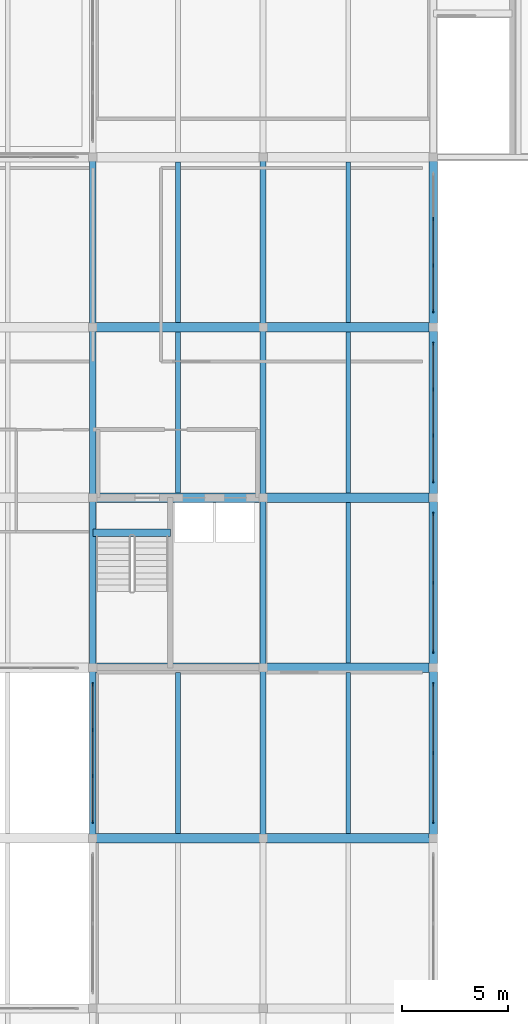
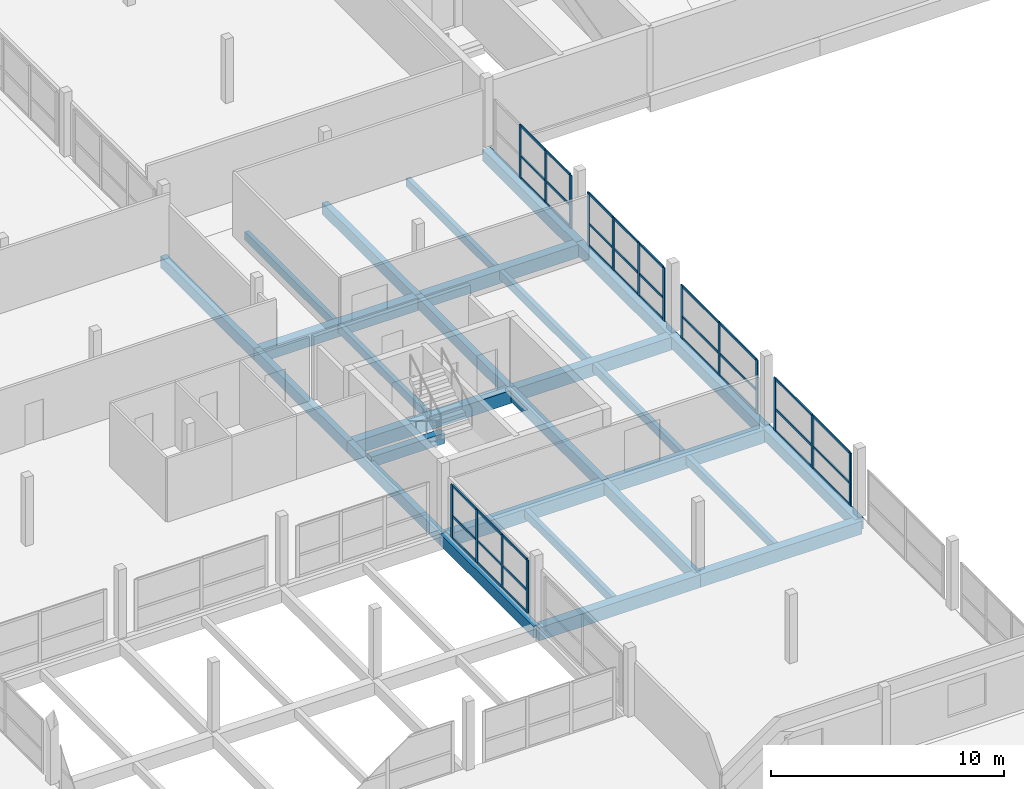
# One storey, part 15 of 51: 53 members, 28 beams, 5 elements without a shape of their own.
"""IFC4 building model written with IfcOpenShell, lengths in metres."""

from ifc_helpers import new_model, si_unit, direction, frame, origin, origin_2d, place, context, subcontext, project, spatial, rectangle, extrude, material, material_profile, profile_set, type_object, element, aggregate, save


model = new_model("IFC4")

# Units and contexts
model_context = context("Model", 3, precision=1e-05, world=origin(), true_north=direction((0.0, 1.0)))
body_context = subcontext(model_context, "Body", "Model", "MODEL_VIEW")
ifc_project = project(units=[si_unit("LENGTHUNIT", "METRE"), si_unit("AREAUNIT", "SQUARE_METRE"), si_unit("VOLUMEUNIT", "CUBIC_METRE"), si_unit("PLANEANGLEUNIT", "RADIAN"), si_unit("MASSUNIT", "GRAM", prefix="KILO")], contexts=[model_context])

# Site, building, storey
site_placement = place(None, origin())
site = spatial("IfcSite", under=ifc_project, at=site_placement, CompositionType="ELEMENT")
building_placement = place(site_placement, origin())
building = spatial("IfcBuilding", under=site, at=building_placement, Name="Vharandega Faculty of Natural Sciences", CompositionType="ELEMENT")
storey_placement = place(building_placement, frame((0.0, 0.0, 18.0)))
storey = spatial("IfcBuildingStorey", under=building, at=storey_placement, Name="L04", CompositionType="ELEMENT", Elevation=18.0)

# Curtain wall, members
ifc_material_1 = material(Name="Aluminium and solar-control glass curtain wall", Category="aluminium")
curtain_wall_type_1 = type_object("IfcCurtainWallType", Name="Unitised Curtain Wall System CW-08", PredefinedType="NOTDEFINED", material=ifc_material_1)
curtain_wall_1_placement = place(storey_placement, origin())
curtain_wall_1 = element("IfcCurtainWall", 1, at=curtain_wall_1_placement, inside=storey, type_object=curtain_wall_type_1, Name="Curtain Wall CW-L04-175", PredefinedType="NOTDEFINED")
ifc_material_2 = material(Name="Thermally broken aluminium 6063-T6", Category="aluminium")
ifc_material_profile_1 = material_profile(ifc_material_2, rectangle(XDim=0.06005859375, YDim=0.159912109375, at=origin_2d()), Name="ALU 60x160")
ifc_profile_set_1 = profile_set([ifc_material_profile_1], Name="Thermally broken aluminium 6063-T6")
member_type_1 = type_object("IfcMemberType", Name="CW Mullion 60x160", PredefinedType="MULLION", material=ifc_profile_set_1)
member_1_placement = place(storey_placement, frame((48.0, 32.77001953125, 0.0), z_axis=(0.0, 0.0, 1.0), x_axis=(-1.0, 0.0, 0.0)))
member_1 = element("IfcMember", 2, at=member_1_placement, type_object=member_type_1, Name="CW-08 mullion 1", PredefinedType="MULLION", context=body_context, shape_type="SweptSolid", body=[
    extrude(rectangle(XDim=0.06005859375, YDim=0.159912109375, at=origin_2d()), origin(), (0.0, 0.0, 1.0), 2.780029296875),
])
member_2_placement = place(storey_placement, frame((48.0, 36.0, 0.0), z_axis=(0.0, 0.0, 1.0), x_axis=(-1.0, 0.0, 0.0)))
member_2 = element("IfcMember", 3, at=member_2_placement, type_object=member_type_1, Name="CW-08 mullion 2", PredefinedType="MULLION", context=body_context, shape_type="SweptSolid", body=[
    extrude(rectangle(XDim=0.06005859375, YDim=0.159912109375, at=origin_2d()), origin(), (0.0, 0.0, 1.0), 2.780029296875),
])
member_3_placement = place(storey_placement, frame((48.0, 39.22998046875, 0.0), z_axis=(0.0, 0.0, 1.0), x_axis=(-1.0, 0.0, 0.0)))
member_3 = element("IfcMember", 4, at=member_3_placement, type_object=member_type_1, Name="CW-08 mullion 3", PredefinedType="MULLION", context=body_context, shape_type="SweptSolid", body=[
    extrude(rectangle(XDim=0.06005859375, YDim=0.159912109375, at=origin_2d()), origin(), (0.0, 0.0, 1.0), 2.780029296875),
])

ifc_material_3 = material(Name="Aluminium and solar-control glass curtain wall", Category="aluminium")
curtain_wall_type_2 = type_object("IfcCurtainWallType", Name="Unitised Curtain Wall System CW-09", PredefinedType="NOTDEFINED", material=ifc_material_3)
curtain_wall_2_placement = place(storey_placement, origin())
curtain_wall_2 = element("IfcCurtainWall", 5, at=curtain_wall_2_placement, inside=storey, type_object=curtain_wall_type_2, Name="Curtain Wall CW-L04-176", PredefinedType="NOTDEFINED")
member_4_placement = place(storey_placement, frame((48.0, 40.77001953125, 0.0), z_axis=(0.0, 0.0, 1.0), x_axis=(-1.0, 0.0, 0.0)))
member_4 = element("IfcMember", 6, at=member_4_placement, type_object=member_type_1, Name="CW-09 mullion 1", PredefinedType="MULLION", context=body_context, shape_type="SweptSolid", body=[
    extrude(rectangle(XDim=0.06005859375, YDim=0.159912109375, at=origin_2d()), origin(), (0.0, 0.0, 1.0), 2.780029296875),
])
member_5_placement = place(storey_placement, frame((48.0, 44.0, 0.0), z_axis=(0.0, 0.0, 1.0), x_axis=(-1.0, 0.0, 0.0)))
member_5 = element("IfcMember", 7, at=member_5_placement, type_object=member_type_1, Name="CW-09 mullion 2", PredefinedType="MULLION", context=body_context, shape_type="SweptSolid", body=[
    extrude(rectangle(XDim=0.06005859375, YDim=0.159912109375, at=origin_2d()), origin(), (0.0, 0.0, 1.0), 2.780029296875),
])
member_6_placement = place(storey_placement, frame((48.0, 47.22998046875, 0.0), z_axis=(0.0, 0.0, 1.0), x_axis=(-1.0, 0.0, 0.0)))
member_6 = element("IfcMember", 8, at=member_6_placement, type_object=member_type_1, Name="CW-09 mullion 3", PredefinedType="MULLION", context=body_context, shape_type="SweptSolid", body=[
    extrude(rectangle(XDim=0.06005859375, YDim=0.159912109375, at=origin_2d()), origin(), (0.0, 0.0, 1.0), 2.780029296875),
])

ifc_material_4 = material(Name="Aluminium and solar-control glass curtain wall", Category="aluminium")
curtain_wall_type_3 = type_object("IfcCurtainWallType", Name="Unitised Curtain Wall System CW-10", PredefinedType="NOTDEFINED", material=ifc_material_4)
curtain_wall_3_placement = place(storey_placement, origin())
curtain_wall_3 = element("IfcCurtainWall", 9, at=curtain_wall_3_placement, inside=storey, type_object=curtain_wall_type_3, Name="Curtain Wall CW-L04-177", PredefinedType="NOTDEFINED")
member_7_placement = place(storey_placement, frame((48.0, 48.77001953125, 0.0), z_axis=(0.0, 0.0, 1.0), x_axis=(-1.0, 0.0, 0.0)))
member_7 = element("IfcMember", 10, at=member_7_placement, type_object=member_type_1, Name="CW-10 mullion 1", PredefinedType="MULLION", context=body_context, shape_type="SweptSolid", body=[
    extrude(rectangle(XDim=0.06005859375, YDim=0.159912109375, at=origin_2d()), origin(), (0.0, 0.0, 1.0), 2.780029296875),
])
member_8_placement = place(storey_placement, frame((48.0, 50.913330078125, 0.0), z_axis=(0.0, 0.0, 1.0), x_axis=(-1.0, 0.0, 0.0)))
member_8 = element("IfcMember", 11, at=member_8_placement, type_object=member_type_1, Name="CW-10 mullion 2", PredefinedType="MULLION", context=body_context, shape_type="SweptSolid", body=[
    extrude(rectangle(XDim=0.06005859375, YDim=0.159912109375, at=origin_2d()), origin(), (0.0, 0.0, 1.0), 2.780029296875),
])
member_9_placement = place(storey_placement, frame((48.0, 53.086669921875, 0.0), z_axis=(0.0, 0.0, 1.0), x_axis=(-1.0, 0.0, 0.0)))
member_9 = element("IfcMember", 12, at=member_9_placement, type_object=member_type_1, Name="CW-10 mullion 3", PredefinedType="MULLION", context=body_context, shape_type="SweptSolid", body=[
    extrude(rectangle(XDim=0.06005859375, YDim=0.159912109375, at=origin_2d()), origin(), (0.0, 0.0, 1.0), 2.780029296875),
])
member_10_placement = place(storey_placement, frame((48.0, 55.22998046875, 0.0), z_axis=(0.0, 0.0, 1.0), x_axis=(-1.0, 0.0, 0.0)))
member_10 = element("IfcMember", 13, at=member_10_placement, type_object=member_type_1, Name="CW-10 mullion 4", PredefinedType="MULLION", context=body_context, shape_type="SweptSolid", body=[
    extrude(rectangle(XDim=0.06005859375, YDim=0.159912109375, at=origin_2d()), origin(), (0.0, 0.0, 1.0), 2.780029296875),
])

ifc_material_5 = material(Name="Aluminium and solar-control glass curtain wall", Category="aluminium")
curtain_wall_type_4 = type_object("IfcCurtainWallType", Name="Unitised Curtain Wall System CW-11", PredefinedType="NOTDEFINED", material=ifc_material_5)
curtain_wall_4_placement = place(storey_placement, origin())
curtain_wall_4 = element("IfcCurtainWall", 14, at=curtain_wall_4_placement, inside=storey, type_object=curtain_wall_type_4, Name="Curtain Wall CW-L04-178", PredefinedType="NOTDEFINED")
member_11_placement = place(storey_placement, frame((48.0, 56.77001953125, 0.0), z_axis=(0.0, 0.0, 1.0), x_axis=(-1.0, 0.0, 0.0)))
member_11 = element("IfcMember", 15, at=member_11_placement, type_object=member_type_1, Name="CW-11 mullion 1", PredefinedType="MULLION", context=body_context, shape_type="SweptSolid", body=[
    extrude(rectangle(XDim=0.06005859375, YDim=0.159912109375, at=origin_2d()), origin(), (0.0, 0.0, 1.0), 2.780029296875),
])
member_12_placement = place(storey_placement, frame((48.0, 58.913330078125, 0.0), z_axis=(0.0, 0.0, 1.0), x_axis=(-1.0, 0.0, 0.0)))
member_12 = element("IfcMember", 16, at=member_12_placement, type_object=member_type_1, Name="CW-11 mullion 2", PredefinedType="MULLION", context=body_context, shape_type="SweptSolid", body=[
    extrude(rectangle(XDim=0.06005859375, YDim=0.159912109375, at=origin_2d()), origin(), (0.0, 0.0, 1.0), 2.780029296875),
])
member_13_placement = place(storey_placement, frame((48.0, 61.086669921875, 0.0), z_axis=(0.0, 0.0, 1.0), x_axis=(-1.0, 0.0, 0.0)))
member_13 = element("IfcMember", 17, at=member_13_placement, type_object=member_type_1, Name="CW-11 mullion 3", PredefinedType="MULLION", context=body_context, shape_type="SweptSolid", body=[
    extrude(rectangle(XDim=0.06005859375, YDim=0.159912109375, at=origin_2d()), origin(), (0.0, 0.0, 1.0), 2.780029296875),
])

ifc_material_6 = material(Name="Aluminium and solar-control glass curtain wall", Category="aluminium")
curtain_wall_type_5 = type_object("IfcCurtainWallType", Name="Unitised Curtain Wall System CW-25", PredefinedType="NOTDEFINED", material=ifc_material_6)
curtain_wall_5_placement = place(storey_placement, origin())
curtain_wall_5 = element("IfcCurtainWall", 18, at=curtain_wall_5_placement, inside=storey, type_object=curtain_wall_type_5, Name="Curtain Wall CW-L04-192", PredefinedType="NOTDEFINED")
member_14_placement = place(storey_placement, frame((32.0, 32.77001953125, 0.0), z_axis=(0.0, 0.0, 1.0), x_axis=(-1.0, 0.0, 0.0)))
member_14 = element("IfcMember", 19, at=member_14_placement, type_object=member_type_1, Name="CW-25 mullion 1", PredefinedType="MULLION", context=body_context, shape_type="SweptSolid", body=[
    extrude(rectangle(XDim=0.06005859375, YDim=0.159912109375, at=origin_2d()), origin(), (0.0, 0.0, 1.0), 2.780029296875),
])
member_15_placement = place(storey_placement, frame((32.0, 34.913330078125, 0.0), z_axis=(0.0, 0.0, 1.0), x_axis=(-1.0, 0.0, 0.0)))
member_15 = element("IfcMember", 20, at=member_15_placement, type_object=member_type_1, Name="CW-25 mullion 2", PredefinedType="MULLION", context=body_context, shape_type="SweptSolid", body=[
    extrude(rectangle(XDim=0.06005859375, YDim=0.159912109375, at=origin_2d()), origin(), (0.0, 0.0, 1.0), 2.780029296875),
])
member_16_placement = place(storey_placement, frame((32.0, 37.086669921875, 0.0), z_axis=(0.0, 0.0, 1.0), x_axis=(-1.0, 0.0, 0.0)))
member_16 = element("IfcMember", 21, at=member_16_placement, type_object=member_type_1, Name="CW-25 mullion 3", PredefinedType="MULLION", context=body_context, shape_type="SweptSolid", body=[
    extrude(rectangle(XDim=0.06005859375, YDim=0.159912109375, at=origin_2d()), origin(), (0.0, 0.0, 1.0), 2.780029296875),
])
member_17_placement = place(storey_placement, frame((32.0, 39.22998046875, 0.0), z_axis=(0.0, 0.0, 1.0), x_axis=(-1.0, 0.0, 0.0)))
member_17 = element("IfcMember", 22, at=member_17_placement, type_object=member_type_1, Name="CW-25 mullion 4", PredefinedType="MULLION", context=body_context, shape_type="SweptSolid", body=[
    extrude(rectangle(XDim=0.06005859375, YDim=0.159912109375, at=origin_2d()), origin(), (0.0, 0.0, 1.0), 2.780029296875),
])

# Member
ifc_material_7 = material(Name="Thermally broken aluminium 6063-T6", Category="aluminium")
ifc_material_profile_2 = material_profile(ifc_material_7, rectangle(XDim=0.06005859375, YDim=0.1201171875, at=origin_2d()), Name="ALU 60x120")
ifc_profile_set_2 = profile_set([ifc_material_profile_2], Name="Thermally broken aluminium 6063-T6")
member_type_2 = type_object("IfcMemberType", Name="CW Transom 60x120", PredefinedType="USERDEFINED", material=ifc_profile_set_2)
member_18_placement = place(storey_placement, frame((48.0, 32.800048828125, 0.030029296875), z_axis=(0.0, 1.0, 0.0), x_axis=(-1.0, 0.0, 0.0)))
member_18 = element("IfcMember", 23, at=member_18_placement, type_object=member_type_2, Name="CW-08 transom 1.1", ObjectType="TRANSOM", PredefinedType="USERDEFINED", context=body_context, shape_type="SweptSolid", body=[
    extrude(rectangle(XDim=0.06005859375, YDim=0.1201171875, at=origin_2d()), origin(), (0.0, 0.0, 1.0), 3.169921875),
])

member_19_placement = place(storey_placement, frame((48.0, 32.800048828125, 1.16748046875), z_axis=(0.0, 1.0, 0.0), x_axis=(-1.0, 0.0, 0.0)))
member_19 = element("IfcMember", 24, at=member_19_placement, type_object=member_type_2, Name="CW-08 transom 1.2", ObjectType="TRANSOM", PredefinedType="USERDEFINED", context=body_context, shape_type="SweptSolid", body=[
    extrude(rectangle(XDim=0.06005859375, YDim=0.1201171875, at=origin_2d()), origin(), (0.0, 0.0, 1.0), 3.169921875),
])

member_20_placement = place(storey_placement, frame((48.0, 32.800048828125, 2.75), z_axis=(0.0, 1.0, 0.0), x_axis=(-1.0, 0.0, 0.0)))
member_20 = element("IfcMember", 25, at=member_20_placement, type_object=member_type_2, Name="CW-08 transom 1.3", ObjectType="TRANSOM", PredefinedType="USERDEFINED", context=body_context, shape_type="SweptSolid", body=[
    extrude(rectangle(XDim=0.06005859375, YDim=0.1201171875, at=origin_2d()), origin(), (0.0, 0.0, 1.0), 3.169921875),
])

member_21_placement = place(storey_placement, frame((48.0, 36.030029296875, 0.030029296875), z_axis=(0.0, 1.0, 0.0), x_axis=(-1.0, 0.0, 0.0)))
member_21 = element("IfcMember", 26, at=member_21_placement, type_object=member_type_2, Name="CW-08 transom 2.1", ObjectType="TRANSOM", PredefinedType="USERDEFINED", context=body_context, shape_type="SweptSolid", body=[
    extrude(rectangle(XDim=0.06005859375, YDim=0.1201171875, at=origin_2d()), origin(), (0.0, 0.0, 1.0), 3.169921875),
])

member_22_placement = place(storey_placement, frame((48.0, 36.030029296875, 1.16748046875), z_axis=(0.0, 1.0, 0.0), x_axis=(-1.0, 0.0, 0.0)))
member_22 = element("IfcMember", 27, at=member_22_placement, type_object=member_type_2, Name="CW-08 transom 2.2", ObjectType="TRANSOM", PredefinedType="USERDEFINED", context=body_context, shape_type="SweptSolid", body=[
    extrude(rectangle(XDim=0.06005859375, YDim=0.1201171875, at=origin_2d()), origin(), (0.0, 0.0, 1.0), 3.169921875),
])

member_23_placement = place(storey_placement, frame((48.0, 36.030029296875, 2.75), z_axis=(0.0, 1.0, 0.0), x_axis=(-1.0, 0.0, 0.0)))
member_23 = element("IfcMember", 28, at=member_23_placement, type_object=member_type_2, Name="CW-08 transom 2.3", ObjectType="TRANSOM", PredefinedType="USERDEFINED", context=body_context, shape_type="SweptSolid", body=[
    extrude(rectangle(XDim=0.06005859375, YDim=0.1201171875, at=origin_2d()), origin(), (0.0, 0.0, 1.0), 3.169921875),
])

aggregate(curtain_wall_1, [member_1, member_2, member_3, member_18, member_19, member_20, member_21, member_22, member_23])

member_24_placement = place(storey_placement, frame((48.0, 40.800048828125, 0.030029296875), z_axis=(0.0, 1.0, 0.0), x_axis=(-1.0, 0.0, 0.0)))
member_24 = element("IfcMember", 29, at=member_24_placement, type_object=member_type_2, Name="CW-09 transom 1.1", ObjectType="TRANSOM", PredefinedType="USERDEFINED", context=body_context, shape_type="SweptSolid", body=[
    extrude(rectangle(XDim=0.06005859375, YDim=0.1201171875, at=origin_2d()), origin(), (0.0, 0.0, 1.0), 3.169921875),
])

member_25_placement = place(storey_placement, frame((48.0, 40.800048828125, 1.16748046875), z_axis=(0.0, 1.0, 0.0), x_axis=(-1.0, 0.0, 0.0)))
member_25 = element("IfcMember", 30, at=member_25_placement, type_object=member_type_2, Name="CW-09 transom 1.2", ObjectType="TRANSOM", PredefinedType="USERDEFINED", context=body_context, shape_type="SweptSolid", body=[
    extrude(rectangle(XDim=0.06005859375, YDim=0.1201171875, at=origin_2d()), origin(), (0.0, 0.0, 1.0), 3.169921875),
])

member_26_placement = place(storey_placement, frame((48.0, 40.800048828125, 2.75), z_axis=(0.0, 1.0, 0.0), x_axis=(-1.0, 0.0, 0.0)))
member_26 = element("IfcMember", 31, at=member_26_placement, type_object=member_type_2, Name="CW-09 transom 1.3", ObjectType="TRANSOM", PredefinedType="USERDEFINED", context=body_context, shape_type="SweptSolid", body=[
    extrude(rectangle(XDim=0.06005859375, YDim=0.1201171875, at=origin_2d()), origin(), (0.0, 0.0, 1.0), 3.169921875),
])

member_27_placement = place(storey_placement, frame((48.0, 44.030029296875, 0.030029296875), z_axis=(0.0, 1.0, 0.0), x_axis=(-1.0, 0.0, 0.0)))
member_27 = element("IfcMember", 32, at=member_27_placement, type_object=member_type_2, Name="CW-09 transom 2.1", ObjectType="TRANSOM", PredefinedType="USERDEFINED", context=body_context, shape_type="SweptSolid", body=[
    extrude(rectangle(XDim=0.06005859375, YDim=0.1201171875, at=origin_2d()), origin(), (0.0, 0.0, 1.0), 3.169921875),
])

member_28_placement = place(storey_placement, frame((48.0, 44.030029296875, 1.16748046875), z_axis=(0.0, 1.0, 0.0), x_axis=(-1.0, 0.0, 0.0)))
member_28 = element("IfcMember", 33, at=member_28_placement, type_object=member_type_2, Name="CW-09 transom 2.2", ObjectType="TRANSOM", PredefinedType="USERDEFINED", context=body_context, shape_type="SweptSolid", body=[
    extrude(rectangle(XDim=0.06005859375, YDim=0.1201171875, at=origin_2d()), origin(), (0.0, 0.0, 1.0), 3.169921875),
])

member_29_placement = place(storey_placement, frame((48.0, 44.030029296875, 2.75), z_axis=(0.0, 1.0, 0.0), x_axis=(-1.0, 0.0, 0.0)))
member_29 = element("IfcMember", 34, at=member_29_placement, type_object=member_type_2, Name="CW-09 transom 2.3", ObjectType="TRANSOM", PredefinedType="USERDEFINED", context=body_context, shape_type="SweptSolid", body=[
    extrude(rectangle(XDim=0.06005859375, YDim=0.1201171875, at=origin_2d()), origin(), (0.0, 0.0, 1.0), 3.169921875),
])

aggregate(curtain_wall_2, [member_4, member_5, member_6, member_24, member_25, member_26, member_27, member_28, member_29])

member_30_placement = place(storey_placement, frame((48.0, 48.800048828125, 0.030029296875), z_axis=(0.0, 1.0, 0.0), x_axis=(-1.0, 0.0, 0.0)))
member_30 = element("IfcMember", 35, at=member_30_placement, type_object=member_type_2, Name="CW-10 transom 1.1", ObjectType="TRANSOM", PredefinedType="USERDEFINED", context=body_context, shape_type="SweptSolid", body=[
    extrude(rectangle(XDim=0.06005859375, YDim=0.1201171875, at=origin_2d()), origin(), (0.0, 0.0, 1.0), 2.083251953125),
])

member_31_placement = place(storey_placement, frame((48.0, 48.800048828125, 1.16748046875), z_axis=(0.0, 1.0, 0.0), x_axis=(-1.0, 0.0, 0.0)))
member_31 = element("IfcMember", 36, at=member_31_placement, type_object=member_type_2, Name="CW-10 transom 1.2", ObjectType="TRANSOM", PredefinedType="USERDEFINED", context=body_context, shape_type="SweptSolid", body=[
    extrude(rectangle(XDim=0.06005859375, YDim=0.1201171875, at=origin_2d()), origin(), (0.0, 0.0, 1.0), 2.083251953125),
])

member_32_placement = place(storey_placement, frame((48.0, 48.800048828125, 2.75), z_axis=(0.0, 1.0, 0.0), x_axis=(-1.0, 0.0, 0.0)))
member_32 = element("IfcMember", 37, at=member_32_placement, type_object=member_type_2, Name="CW-10 transom 1.3", ObjectType="TRANSOM", PredefinedType="USERDEFINED", context=body_context, shape_type="SweptSolid", body=[
    extrude(rectangle(XDim=0.06005859375, YDim=0.1201171875, at=origin_2d()), origin(), (0.0, 0.0, 1.0), 2.083251953125),
])

member_33_placement = place(storey_placement, frame((48.0, 50.943359375, 0.030029296875), z_axis=(0.0, 1.0, 0.0), x_axis=(-1.0, 0.0, 0.0)))
member_33 = element("IfcMember", 38, at=member_33_placement, type_object=member_type_2, Name="CW-10 transom 2.1", ObjectType="TRANSOM", PredefinedType="USERDEFINED", context=body_context, shape_type="SweptSolid", body=[
    extrude(rectangle(XDim=0.06005859375, YDim=0.1201171875, at=origin_2d()), origin(), (0.0, 0.0, 1.0), 2.11328125),
])

member_34_placement = place(storey_placement, frame((48.0, 50.943359375, 1.16748046875), z_axis=(0.0, 1.0, 0.0), x_axis=(-1.0, 0.0, 0.0)))
member_34 = element("IfcMember", 39, at=member_34_placement, type_object=member_type_2, Name="CW-10 transom 2.2", ObjectType="TRANSOM", PredefinedType="USERDEFINED", context=body_context, shape_type="SweptSolid", body=[
    extrude(rectangle(XDim=0.06005859375, YDim=0.1201171875, at=origin_2d()), origin(), (0.0, 0.0, 1.0), 2.11328125),
])

member_35_placement = place(storey_placement, frame((48.0, 50.943359375, 2.75), z_axis=(0.0, 1.0, 0.0), x_axis=(-1.0, 0.0, 0.0)))
member_35 = element("IfcMember", 40, at=member_35_placement, type_object=member_type_2, Name="CW-10 transom 2.3", ObjectType="TRANSOM", PredefinedType="USERDEFINED", context=body_context, shape_type="SweptSolid", body=[
    extrude(rectangle(XDim=0.06005859375, YDim=0.1201171875, at=origin_2d()), origin(), (0.0, 0.0, 1.0), 2.11328125),
])

member_36_placement = place(storey_placement, frame((48.0, 53.11669921875, 0.030029296875), z_axis=(0.0, 1.0, 0.0), x_axis=(-1.0, 0.0, 0.0)))
member_36 = element("IfcMember", 41, at=member_36_placement, type_object=member_type_2, Name="CW-10 transom 3.1", ObjectType="TRANSOM", PredefinedType="USERDEFINED", context=body_context, shape_type="SweptSolid", body=[
    extrude(rectangle(XDim=0.06005859375, YDim=0.1201171875, at=origin_2d()), origin(), (0.0, 0.0, 1.0), 2.083251953125),
])

member_37_placement = place(storey_placement, frame((48.0, 53.11669921875, 1.16748046875), z_axis=(0.0, 1.0, 0.0), x_axis=(-1.0, 0.0, 0.0)))
member_37 = element("IfcMember", 42, at=member_37_placement, type_object=member_type_2, Name="CW-10 transom 3.2", ObjectType="TRANSOM", PredefinedType="USERDEFINED", context=body_context, shape_type="SweptSolid", body=[
    extrude(rectangle(XDim=0.06005859375, YDim=0.1201171875, at=origin_2d()), origin(), (0.0, 0.0, 1.0), 2.083251953125),
])

member_38_placement = place(storey_placement, frame((48.0, 53.11669921875, 2.75), z_axis=(0.0, 1.0, 0.0), x_axis=(-1.0, 0.0, 0.0)))
member_38 = element("IfcMember", 43, at=member_38_placement, type_object=member_type_2, Name="CW-10 transom 3.3", ObjectType="TRANSOM", PredefinedType="USERDEFINED", context=body_context, shape_type="SweptSolid", body=[
    extrude(rectangle(XDim=0.06005859375, YDim=0.1201171875, at=origin_2d()), origin(), (0.0, 0.0, 1.0), 2.083251953125),
])

aggregate(curtain_wall_3, [member_7, member_8, member_9, member_10, member_30, member_31, member_32, member_33, member_34, member_35, member_36, member_37, member_38])

member_39_placement = place(storey_placement, frame((48.0, 56.800048828125, 0.030029296875), z_axis=(0.0, 1.0, 0.0), x_axis=(-1.0, 0.0, 0.0)))
member_39 = element("IfcMember", 44, at=member_39_placement, type_object=member_type_2, Name="CW-11 transom 1.1", ObjectType="TRANSOM", PredefinedType="USERDEFINED", context=body_context, shape_type="SweptSolid", body=[
    extrude(rectangle(XDim=0.06005859375, YDim=0.1201171875, at=origin_2d()), origin(), (0.0, 0.0, 1.0), 2.083251953125),
])

member_40_placement = place(storey_placement, frame((48.0, 56.800048828125, 1.16748046875), z_axis=(0.0, 1.0, 0.0), x_axis=(-1.0, 0.0, 0.0)))
member_40 = element("IfcMember", 45, at=member_40_placement, type_object=member_type_2, Name="CW-11 transom 1.2", ObjectType="TRANSOM", PredefinedType="USERDEFINED", context=body_context, shape_type="SweptSolid", body=[
    extrude(rectangle(XDim=0.06005859375, YDim=0.1201171875, at=origin_2d()), origin(), (0.0, 0.0, 1.0), 2.083251953125),
])

member_41_placement = place(storey_placement, frame((48.0, 56.800048828125, 2.75), z_axis=(0.0, 1.0, 0.0), x_axis=(-1.0, 0.0, 0.0)))
member_41 = element("IfcMember", 46, at=member_41_placement, type_object=member_type_2, Name="CW-11 transom 1.3", ObjectType="TRANSOM", PredefinedType="USERDEFINED", context=body_context, shape_type="SweptSolid", body=[
    extrude(rectangle(XDim=0.06005859375, YDim=0.1201171875, at=origin_2d()), origin(), (0.0, 0.0, 1.0), 2.083251953125),
])

member_42_placement = place(storey_placement, frame((48.0, 58.943359375, 0.030029296875), z_axis=(0.0, 1.0, 0.0), x_axis=(-1.0, 0.0, 0.0)))
member_42 = element("IfcMember", 47, at=member_42_placement, type_object=member_type_2, Name="CW-11 transom 2.1", ObjectType="TRANSOM", PredefinedType="USERDEFINED", context=body_context, shape_type="SweptSolid", body=[
    extrude(rectangle(XDim=0.06005859375, YDim=0.1201171875, at=origin_2d()), origin(), (0.0, 0.0, 1.0), 2.11328125),
])

member_43_placement = place(storey_placement, frame((48.0, 58.943359375, 1.16748046875), z_axis=(0.0, 1.0, 0.0), x_axis=(-1.0, 0.0, 0.0)))
member_43 = element("IfcMember", 48, at=member_43_placement, type_object=member_type_2, Name="CW-11 transom 2.2", ObjectType="TRANSOM", PredefinedType="USERDEFINED", context=body_context, shape_type="SweptSolid", body=[
    extrude(rectangle(XDim=0.06005859375, YDim=0.1201171875, at=origin_2d()), origin(), (0.0, 0.0, 1.0), 2.11328125),
])

member_44_placement = place(storey_placement, frame((48.0, 58.943359375, 2.75), z_axis=(0.0, 1.0, 0.0), x_axis=(-1.0, 0.0, 0.0)))
member_44 = element("IfcMember", 49, at=member_44_placement, type_object=member_type_2, Name="CW-11 transom 2.3", ObjectType="TRANSOM", PredefinedType="USERDEFINED", context=body_context, shape_type="SweptSolid", body=[
    extrude(rectangle(XDim=0.06005859375, YDim=0.1201171875, at=origin_2d()), origin(), (0.0, 0.0, 1.0), 2.11328125),
])

aggregate(curtain_wall_4, [member_11, member_12, member_13, member_39, member_40, member_41, member_42, member_43, member_44])

member_45_placement = place(storey_placement, frame((32.0, 32.800048828125, 0.030029296875), z_axis=(0.0, 1.0, 0.0), x_axis=(-1.0, 0.0, 0.0)))
member_45 = element("IfcMember", 50, at=member_45_placement, type_object=member_type_2, Name="CW-25 transom 1.1", ObjectType="TRANSOM", PredefinedType="USERDEFINED", context=body_context, shape_type="SweptSolid", body=[
    extrude(rectangle(XDim=0.06005859375, YDim=0.1201171875, at=origin_2d()), origin(), (0.0, 0.0, 1.0), 2.083251953125),
])

member_46_placement = place(storey_placement, frame((32.0, 32.800048828125, 1.16748046875), z_axis=(0.0, 1.0, 0.0), x_axis=(-1.0, 0.0, 0.0)))
member_46 = element("IfcMember", 51, at=member_46_placement, type_object=member_type_2, Name="CW-25 transom 1.2", ObjectType="TRANSOM", PredefinedType="USERDEFINED", context=body_context, shape_type="SweptSolid", body=[
    extrude(rectangle(XDim=0.06005859375, YDim=0.1201171875, at=origin_2d()), origin(), (0.0, 0.0, 1.0), 2.083251953125),
])

member_47_placement = place(storey_placement, frame((32.0, 32.800048828125, 2.75), z_axis=(0.0, 1.0, 0.0), x_axis=(-1.0, 0.0, 0.0)))
member_47 = element("IfcMember", 52, at=member_47_placement, type_object=member_type_2, Name="CW-25 transom 1.3", ObjectType="TRANSOM", PredefinedType="USERDEFINED", context=body_context, shape_type="SweptSolid", body=[
    extrude(rectangle(XDim=0.06005859375, YDim=0.1201171875, at=origin_2d()), origin(), (0.0, 0.0, 1.0), 2.083251953125),
])

member_48_placement = place(storey_placement, frame((32.0, 34.943359375, 0.030029296875), z_axis=(0.0, 1.0, 0.0), x_axis=(-1.0, 0.0, 0.0)))
member_48 = element("IfcMember", 53, at=member_48_placement, type_object=member_type_2, Name="CW-25 transom 2.1", ObjectType="TRANSOM", PredefinedType="USERDEFINED", context=body_context, shape_type="SweptSolid", body=[
    extrude(rectangle(XDim=0.06005859375, YDim=0.1201171875, at=origin_2d()), origin(), (0.0, 0.0, 1.0), 2.11328125),
])

member_49_placement = place(storey_placement, frame((32.0, 34.943359375, 1.16748046875), z_axis=(0.0, 1.0, 0.0), x_axis=(-1.0, 0.0, 0.0)))
member_49 = element("IfcMember", 54, at=member_49_placement, type_object=member_type_2, Name="CW-25 transom 2.2", ObjectType="TRANSOM", PredefinedType="USERDEFINED", context=body_context, shape_type="SweptSolid", body=[
    extrude(rectangle(XDim=0.06005859375, YDim=0.1201171875, at=origin_2d()), origin(), (0.0, 0.0, 1.0), 2.11328125),
])

member_50_placement = place(storey_placement, frame((32.0, 34.943359375, 2.75), z_axis=(0.0, 1.0, 0.0), x_axis=(-1.0, 0.0, 0.0)))
member_50 = element("IfcMember", 55, at=member_50_placement, type_object=member_type_2, Name="CW-25 transom 2.3", ObjectType="TRANSOM", PredefinedType="USERDEFINED", context=body_context, shape_type="SweptSolid", body=[
    extrude(rectangle(XDim=0.06005859375, YDim=0.1201171875, at=origin_2d()), origin(), (0.0, 0.0, 1.0), 2.11328125),
])

member_51_placement = place(storey_placement, frame((32.0, 37.11669921875, 0.030029296875), z_axis=(0.0, 1.0, 0.0), x_axis=(-1.0, 0.0, 0.0)))
member_51 = element("IfcMember", 56, at=member_51_placement, type_object=member_type_2, Name="CW-25 transom 3.1", ObjectType="TRANSOM", PredefinedType="USERDEFINED", context=body_context, shape_type="SweptSolid", body=[
    extrude(rectangle(XDim=0.06005859375, YDim=0.1201171875, at=origin_2d()), origin(), (0.0, 0.0, 1.0), 2.083251953125),
])

member_52_placement = place(storey_placement, frame((32.0, 37.11669921875, 1.16748046875), z_axis=(0.0, 1.0, 0.0), x_axis=(-1.0, 0.0, 0.0)))
member_52 = element("IfcMember", 57, at=member_52_placement, type_object=member_type_2, Name="CW-25 transom 3.2", ObjectType="TRANSOM", PredefinedType="USERDEFINED", context=body_context, shape_type="SweptSolid", body=[
    extrude(rectangle(XDim=0.06005859375, YDim=0.1201171875, at=origin_2d()), origin(), (0.0, 0.0, 1.0), 2.083251953125),
])

member_53_placement = place(storey_placement, frame((32.0, 37.11669921875, 2.75), z_axis=(0.0, 1.0, 0.0), x_axis=(-1.0, 0.0, 0.0)))
member_53 = element("IfcMember", 58, at=member_53_placement, type_object=member_type_2, Name="CW-25 transom 3.3", ObjectType="TRANSOM", PredefinedType="USERDEFINED", context=body_context, shape_type="SweptSolid", body=[
    extrude(rectangle(XDim=0.06005859375, YDim=0.1201171875, at=origin_2d()), origin(), (0.0, 0.0, 1.0), 2.083251953125),
])

aggregate(curtain_wall_5, [member_14, member_15, member_16, member_17, member_45, member_46, member_47, member_48, member_49, member_50, member_51, member_52, member_53])

# Beams
ifc_material_8 = material(Name="Glulam GL28h", Category="wood")
ifc_material_profile_3 = material_profile(ifc_material_8, rectangle(XDim=0.300048828125, YDim=0.60009765625, at=origin_2d()), Name="GL28h 300x600")
ifc_profile_set_3 = profile_set([ifc_material_profile_3], Name="Glulam GL28h")
beam_type_1 = type_object("IfcBeamType", Name="Glulam Floor Beam 300x600", PredefinedType="BEAM", material=ifc_profile_set_3)
for number, where, z_axis, x_axis, name in (
    (59, (32.0, 32.0, -0.52001953125), (0.0, 1.0, 0.0), (-1.0, 0.0, 0.0), "Beam L04 5/E-F"),
    (60, (32.0, 40.0, -0.52001953125), (0.0, 1.0, 0.0), (-1.0, 0.0, 0.0), "Beam L04 5/F-G"),
    (61, (32.0, 48.0, -0.52001953125), (0.0, 1.0, 0.0), (-1.0, 0.0, 0.0), "Beam L04 5/G-H"),
    (62, (32.0, 56.0, -0.52001953125), (0.0, 1.0, 0.0), (-1.0, 0.0, 0.0), "Beam L04 5/H-J"),
    (63, (40.0, 32.0, -0.52001953125), (0.0, 1.0, 0.0), (-1.0, 0.0, 0.0), "Beam L04 6/E-F"),
    (64, (40.0, 40.0, -0.52001953125), (0.0, 1.0, 0.0), (-1.0, 0.0, 0.0), "Beam L04 6/F-G"),
    (65, (40.0, 48.0, -0.52001953125), (0.0, 1.0, 0.0), (-1.0, 0.0, 0.0), "Beam L04 6/G-H"),
    (66, (40.0, 56.0, -0.52001953125), (0.0, 1.0, 0.0), (-1.0, 0.0, 0.0), "Beam L04 6/H-J"),
):
    element("IfcBeam", number, at=place(storey_placement, frame(where, z_axis=z_axis, x_axis=x_axis)), inside=storey, type_object=beam_type_1, Name=name, PredefinedType="BEAM", context=body_context, shape_type="SweptSolid", body=[
        extrude(rectangle(XDim=0.300048828125, YDim=0.60009765625, at=origin_2d()), origin(), (0.0, 0.0, 1.0), 8.0),
    ])
ifc_material_9 = material(Name="Glulam GL32h", Category="wood")
ifc_material_profile_4 = material_profile(ifc_material_9, rectangle(XDim=0.43994140625, YDim=0.679931640625, at=origin_2d()), Name="GL32h 440x680")
ifc_profile_set_4 = profile_set([ifc_material_profile_4], Name="Glulam GL32h")
beam_type_2 = type_object("IfcBeamType", Name="Glulam Girder 440x680", PredefinedType="BEAM", material=ifc_profile_set_4)
for number, where, z_axis, x_axis, name in (
    (67, (32.0, 32.0, -0.56005859375), (1.0, 0.0, 0.0), (0.0, 1.0, 0.0), "Beam L04 E/5-6"),
    (68, (40.0, 32.0, -0.56005859375), (1.0, 0.0, 0.0), (0.0, 1.0, 0.0), "Beam L04 E/6-7"),
    (69, (32.0, 40.0, -0.56005859375), (1.0, 0.0, 0.0), (0.0, 1.0, 0.0), "Beam L04 F/5-6"),
    (70, (40.0, 40.0, -0.56005859375), (1.0, 0.0, 0.0), (0.0, 1.0, 0.0), "Beam L04 F/6-7"),
    (71, (32.0, 48.0, -0.56005859375), (1.0, 0.0, 0.0), (0.0, 1.0, 0.0), "Beam L04 G/5-6"),
    (72, (40.0, 48.0, -0.56005859375), (1.0, 0.0, 0.0), (0.0, 1.0, 0.0), "Beam L04 G/6-7"),
    (73, (32.0, 56.0, -0.56005859375), (1.0, 0.0, 0.0), (0.0, 1.0, 0.0), "Beam L04 H/5-6"),
    (74, (40.0, 56.0, -0.56005859375), (1.0, 0.0, 0.0), (0.0, 1.0, 0.0), "Beam L04 H/6-7"),
):
    element("IfcBeam", number, at=place(storey_placement, frame(where, z_axis=z_axis, x_axis=x_axis)), inside=storey, type_object=beam_type_2, Name=name, PredefinedType="BEAM", context=body_context, shape_type="SweptSolid", body=[
        extrude(rectangle(XDim=0.43994140625, YDim=0.679931640625, at=origin_2d()), origin(), (0.0, 0.0, 1.0), 8.0),
    ])
ifc_material_10 = material(Name="Glulam GL28h", Category="wood")
ifc_material_profile_5 = material_profile(ifc_material_10, rectangle(XDim=0.219970703125, YDim=0.43994140625, at=origin_2d()), Name="GL28h 220x440")
ifc_profile_set_5 = profile_set([ifc_material_profile_5], Name="Glulam GL28h")
beam_type_3 = type_object("IfcBeamType", Name="Glulam Secondary Joist 220x440", PredefinedType="JOIST", material=ifc_profile_set_5)
for number, where, z_axis, x_axis, name in (
    (75, (36.0, 32.219970703125, -0.43994140625), (0.0, 1.0, 0.0), (-1.0, 0.0, 0.0), "Secondary Joist L04 5-6/E-F"),
    (76, (36.0, 48.219970703125, -0.43994140625), (0.0, 1.0, 0.0), (-1.0, 0.0, 0.0), "Secondary Joist L04 5-6/G-H"),
    (77, (36.0, 56.219970703125, -0.43994140625), (0.0, 1.0, 0.0), (-1.0, 0.0, 0.0), "Secondary Joist L04 5-6/H-J"),
    (78, (44.0, 32.219970703125, -0.43994140625), (0.0, 1.0, 0.0), (-1.0, 0.0, 0.0), "Secondary Joist L04 6-7/E-F"),
    (79, (44.0, 40.219970703125, -0.43994140625), (0.0, 1.0, 0.0), (-1.0, 0.0, 0.0), "Secondary Joist L04 6-7/F-G"),
    (80, (44.0, 48.219970703125, -0.43994140625), (0.0, 1.0, 0.0), (-1.0, 0.0, 0.0), "Secondary Joist L04 6-7/G-H"),
    (81, (44.0, 56.219970703125, -0.43994140625), (0.0, 1.0, 0.0), (-1.0, 0.0, 0.0), "Secondary Joist L04 6-7/H-J"),
):
    element("IfcBeam", number, at=place(storey_placement, frame(where, z_axis=z_axis, x_axis=x_axis)), inside=storey, type_object=beam_type_3, Name=name, PredefinedType="JOIST", context=body_context, shape_type="SweptSolid", body=[
        extrude(rectangle(XDim=0.219970703125, YDim=0.43994140625, at=origin_2d()), origin(), (0.0, 0.0, 1.0), 7.56005859375),
    ])
ifc_material_11 = material(Name="Glulam GL32h", Category="wood")
ifc_material_profile_6 = material_profile(ifc_material_11, rectangle(XDim=0.39990234375, YDim=0.60009765625, at=origin_2d()), Name="GL32h 400x600")
ifc_profile_set_6 = profile_set([ifc_material_profile_6], Name="Glulam GL32h")
beam_type_4 = type_object("IfcBeamType", Name="Glulam Spine Girder 400x600", PredefinedType="BEAM", material=ifc_profile_set_6)
for number, where, z_axis, x_axis, name in (
    (82, (48.0, 32.0, -0.52001953125), (0.0, 1.0, 0.0), (-1.0, 0.0, 0.0), "Beam L04 7/E-F"),
    (83, (48.0, 40.0, -0.52001953125), (0.0, 1.0, 0.0), (-1.0, 0.0, 0.0), "Beam L04 7/F-G"),
    (84, (48.0, 48.0, -0.52001953125), (0.0, 1.0, 0.0), (-1.0, 0.0, 0.0), "Beam L04 7/G-H"),
    (85, (48.0, 56.0, -0.52001953125), (0.0, 1.0, 0.0), (-1.0, 0.0, 0.0), "Beam L04 7/H-J"),
):
    element("IfcBeam", number, at=place(storey_placement, frame(where, z_axis=z_axis, x_axis=x_axis)), inside=storey, type_object=beam_type_4, Name=name, PredefinedType="BEAM", context=body_context, shape_type="SweptSolid", body=[
        extrude(rectangle(XDim=0.39990234375, YDim=0.60009765625, at=origin_2d()), origin(), (0.0, 0.0, 1.0), 8.0),
    ])
ifc_material_12 = material(Name="Concrete C40/50", Category="concrete")
ifc_material_profile_7 = material_profile(ifc_material_12, rectangle(XDim=0.35009765625, YDim=0.550048828125, at=origin_2d()), Name="RC 350x550")
ifc_profile_set_7 = profile_set([ifc_material_profile_7], Name="Concrete C40/50")
beam_type_5 = type_object("IfcBeamType", Name="Stair Header Trimmer Beam 350x550", PredefinedType="BEAM", material=ifc_profile_set_7)
beam_placement = place(storey_placement, frame((32.0, 46.35009765625, -0.27490234375), z_axis=(1.0, 0.0, 0.0), x_axis=(0.0, 1.0, 0.0)))
element("IfcBeam", 86, at=beam_placement, inside=storey, type_object=beam_type_5, Name="Stair Landing Trimmer Beam C3 L04", PredefinedType="BEAM", context=body_context, shape_type="SweptSolid", body=[
    extrude(rectangle(XDim=0.35009765625, YDim=0.550048828125, at=origin_2d()), origin(), (0.0, 0.0, 1.0), 3.639892578125),
])

save(model, "model.ifc")
